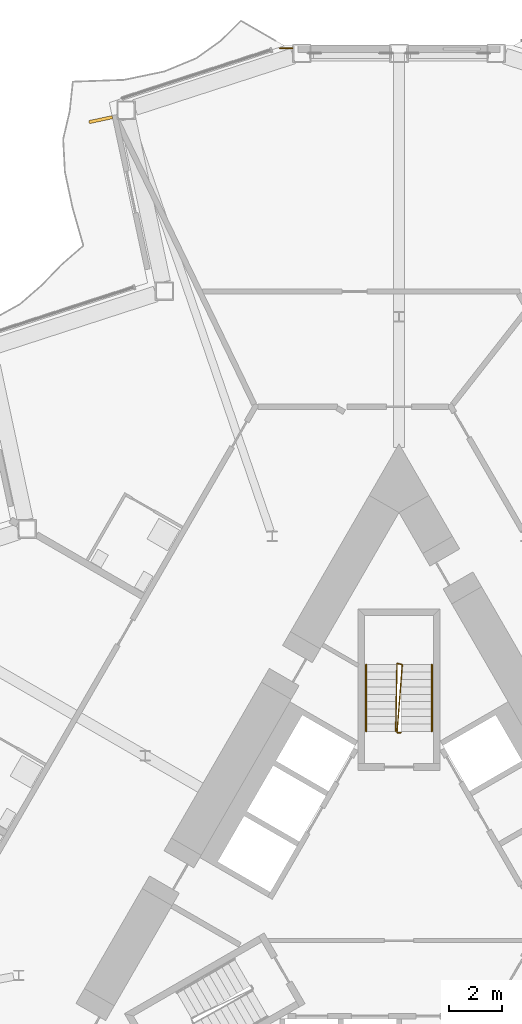
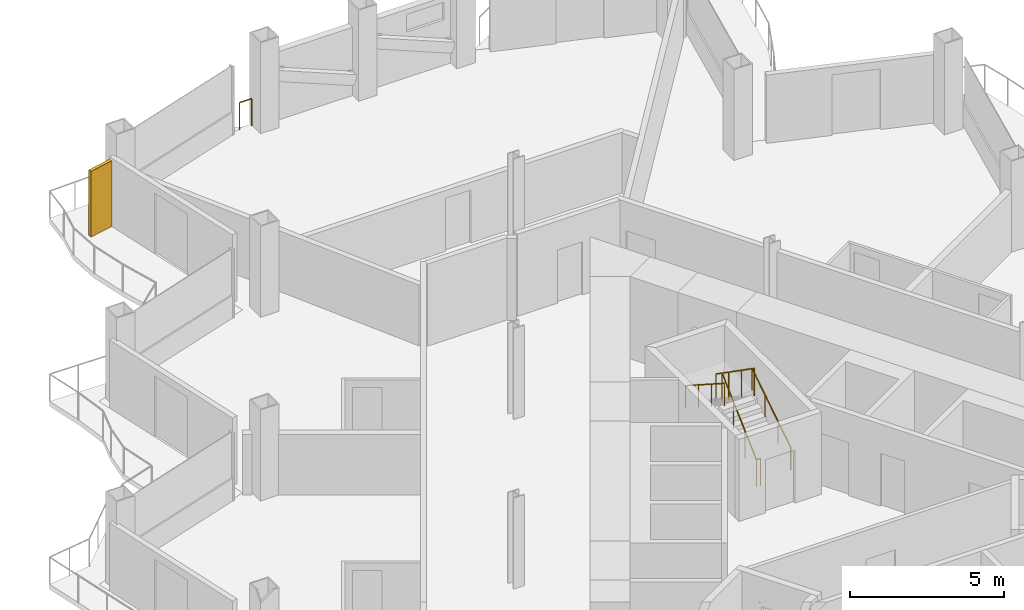
# One storey, part 21 of 24: 4 railings, 1 shading device.
"""IFC4 building model written with IfcOpenShell, lengths in metres."""

from ifc_helpers import new_model, si_unit, direction, frame, origin, origin_2d, place, context, subcontext, project, spatial, rectangle, circle, extrude, material, layer, layer_set, type_object, element, save


model = new_model("IFC4")

# Units and contexts
model_context = context("Model", 3, precision=1e-05, world=origin(), true_north=direction((0.0, 1.0)))
body_context = subcontext(model_context, "Body", "Model", "MODEL_VIEW")
ifc_project = project(units=[si_unit("LENGTHUNIT", "METRE"), si_unit("AREAUNIT", "SQUARE_METRE"), si_unit("VOLUMEUNIT", "CUBIC_METRE"), si_unit("PLANEANGLEUNIT", "RADIAN"), si_unit("MASSUNIT", "GRAM", prefix="KILO")], contexts=[model_context])

# Site, building, storey
site_placement = place(None, origin())
site = spatial("IfcSite", under=ifc_project, at=site_placement, CompositionType="ELEMENT")
building_placement = place(site_placement, origin())
building = spatial("IfcBuilding", under=site, at=building_placement, Name="Cormorant Prow Tower", CompositionType="ELEMENT")
storey_placement = place(building_placement, frame((0.0, 0.0, 231.0)))
storey = spatial("IfcBuildingStorey", under=building, at=storey_placement, Name="L50", CompositionType="ELEMENT", Elevation=231.0)

# Railings
ifc_material_1 = material(Name="Stainless steel", Category="steel")
railing_type_1 = type_object("IfcRailingType", Name="Facade corner guard 1100", PredefinedType="GUARDRAIL", material=ifc_material_1)
railing_1_placement = place(storey_placement, frame((-4.4951171875, 32.260009765625, 0.0)))
element("IfcRailing", 1, at=railing_1_placement, inside=storey, type_object=railing_type_1, Name="Facade corner guard L50 2", PredefinedType="GUARDRAIL", context=body_context, shape_type="SweptSolid", body=[
    extrude(circle(Radius=0.02392578125, at=origin_2d()), frame((0.0, 0.0, 1.076171875), z_axis=(1.0, 0.0, 0.0), x_axis=(0.0, 1.0, 0.0)), (0.0, 0.0, 1.0), 0.454833984375),
    extrude(circle(Radius=0.02099609375, at=origin_2d()), origin(), (0.0, 0.0, 1.0), 1.052001953125),
    extrude(circle(Radius=0.02099609375, at=origin_2d()), frame((0.454833984375, 0.0, 0.0)), (0.0, 0.0, 1.0), 1.052001953125),
])
ifc_material_2 = material(Name="Stainless steel", Category="steel")
railing_type_2 = type_object("IfcRailingType", Name="Stair guard 1100", PredefinedType="GUARDRAIL", material=ifc_material_2)
railing_2_placement = place(storey_placement, frame((0.074951171875, 6.40576171875, 0.0)))
element("IfcRailing", 2, at=railing_2_placement, inside=storey, type_object=railing_type_2, Name="L50 ST3 stair guard 1", PredefinedType="GUARDRAIL", context=body_context, shape_type="SweptSolid", body=[
    extrude(circle(Radius=0.02392578125, at=origin_2d()), frame((0.0, 0.0, 1.076171875), z_axis=(-1.0, 0.0, 0.0), x_axis=(0.0, -1.0, 0.0)), (0.0, 0.0, 1.0), 0.14990234375),
    extrude(circle(Radius=0.02392578125, at=origin_2d()), frame((-0.14990234375, 0.0, 1.076171875), z_axis=(0.063595540489, 0.817423998443, 0.572515164864), x_axis=(-0.996987254287, 0.077565551559, 0.0)), (0.0, 0.0, 1.0), 3.14404296875),
    extrude(circle(Radius=0.02392578125, at=origin_2d()), frame((0.050048828125, 2.570068359375, 2.8759765625), z_axis=(-0.970072785993, 0.242814311512, 0.0), x_axis=(-0.242814311512, -0.970072785993, 0.0)), (0.0, 0.0, 1.0), 0.2060546875),
    extrude(circle(Radius=0.02392578125, at=origin_2d()), frame((-0.14990234375, 2.6201171875, 2.8759765625), z_axis=(-0.01594855688, -0.818977845239, 0.573603462805), x_axis=(0.999810440751, -0.019470042781, 0.0)), (0.0, 0.0, 1.0), 3.13818359375),
    extrude(circle(Radius=0.02099609375, at=origin_2d()), origin(), (0.0, 0.0, 1.0), 1.052001953125),
    extrude(circle(Radius=0.02099609375, at=origin_2d()), frame((-0.14990234375, 0.0, 0.0)), (0.0, 0.0, 1.0), 1.052001953125),
    extrude(circle(Radius=0.02099609375, at=origin_2d()), frame((-0.083251953125, 0.856689453125, 0.60009765625)), (0.0, 0.0, 1.0), 1.052001953125),
    extrude(circle(Radius=0.02099609375, at=origin_2d()), frame((-0.0166015625, 1.71337890625, 1.199951171875)), (0.0, 0.0, 1.0), 1.052001953125),
    extrude(circle(Radius=0.02099609375, at=origin_2d()), frame((0.050048828125, 2.570068359375, 1.800048828125)), (0.0, 0.0, 1.0), 1.052001953125),
    extrude(circle(Radius=0.02099609375, at=origin_2d()), frame((-0.14990234375, 2.6201171875, 1.800048828125)), (0.0, 0.0, 1.0), 1.052001953125),
    extrude(circle(Radius=0.02099609375, at=origin_2d()), frame((-0.16650390625, 1.763427734375, 2.400146484375)), (0.0, 0.0, 1.0), 1.052001953125),
    extrude(circle(Radius=0.02099609375, at=origin_2d()), frame((-0.183349609375, 0.90673828125, 3.0)), (0.0, 0.0, 1.0), 1.052001953125),
    extrude(circle(Radius=0.02099609375, at=origin_2d()), frame((-0.199951171875, 0.050048828125, 3.60009765625)), (0.0, 0.0, 1.0), 1.052001953125),
])
ifc_material_3 = material(Name="Stainless steel", Category="steel")
railing_type_3 = type_object("IfcRailingType", Name="Stair handrail 900", PredefinedType="HANDRAIL", material=ifc_material_3)
railing_3_placement = place(storey_placement, frame((1.243896484375, 6.455810546875, 0.179931640625)))
element("IfcRailing", 3, at=railing_3_placement, inside=storey, type_object=railing_type_3, Name="L50 ST3 stair handrail 1", PredefinedType="HANDRAIL", context=body_context, shape_type="SweptSolid", body=[
    extrude(circle(Radius=0.02392578125, at=origin_2d()), frame((0.0, 0.0, 0.8759765625), z_axis=(0.0, 0.841162588446, 0.540782303519), x_axis=(-1.0, 0.0, 0.0)), (0.0, 0.0, 1.0), 2.995849609375),
    extrude(circle(Radius=0.02099609375, at=origin_2d()), origin(), (0.0, 0.0, 1.0), 0.851806640625),
    extrude(circle(Radius=0.02099609375, at=origin_2d()), frame((0.0, 0.840087890625, 0.5400390625)), (0.0, 0.0, 1.0), 0.851806640625),
    extrude(circle(Radius=0.02099609375, at=origin_2d()), frame((0.0, 1.679931640625, 1.080078125)), (0.0, 0.0, 1.0), 0.851806640625),
    extrude(circle(Radius=0.02099609375, at=origin_2d()), frame((0.0, 2.52001953125, 1.6201171875)), (0.0, 0.0, 1.0), 0.851806640625),
])
railing_4_placement = place(storey_placement, frame((-1.243896484375, 8.975830078125, 1.97998046875)))
element("IfcRailing", 4, at=railing_4_placement, inside=storey, type_object=railing_type_3, Name="L50 ST3 stair handrail 2", PredefinedType="HANDRAIL", context=body_context, shape_type="SweptSolid", body=[
    extrude(circle(Radius=0.02392578125, at=origin_2d()), frame((0.0, 0.0, 0.8759765625), z_axis=(0.0, -0.841162588446, 0.540782303519), x_axis=(1.0, 0.0, 0.0)), (0.0, 0.0, 1.0), 2.995849609375),
    extrude(circle(Radius=0.02099609375, at=origin_2d()), origin(), (0.0, 0.0, 1.0), 0.851806640625),
    extrude(circle(Radius=0.02099609375, at=origin_2d()), frame((0.0, -0.840087890625, 0.5400390625)), (0.0, 0.0, 1.0), 0.851806640625),
    extrude(circle(Radius=0.02099609375, at=origin_2d()), frame((0.0, -1.679931640625, 1.080078125)), (0.0, 0.0, 1.0), 0.851806640625),
    extrude(circle(Radius=0.02099609375, at=origin_2d()), frame((0.0, -2.52001953125, 1.6201171875)), (0.0, 0.0, 1.0), 0.851806640625),
])

# Shading device
ifc_material_4 = material(Name="Terracotta", Category="masonry")
ifc_layer = layer(ifc_material_4, 0.1201171875)
ifc_layer_set = layer_set([ifc_layer], Name="Terracotta")
shading_device_type = type_object("IfcShadingDeviceType", Name="Terracotta baguette fin 120x900x2600", PredefinedType="USERDEFINED", material=ifc_layer_set)
shading_device_placement = place(storey_placement, frame((-11.266357421875, 29.5634765625, 0.0), z_axis=(0.0, 0.0, 1.0), x_axis=(0.207911646089, -0.978147610241, 0.0)))
element("IfcShadingDevice", 5, at=shading_device_placement, inside=storey, type_object=shading_device_type, Name="Baguette fin WNW01", ObjectType="BAGUETTE", PredefinedType="USERDEFINED", context=body_context, shape_type="SweptSolid", body=[
    extrude(rectangle(XDim=0.1201171875, YDim=0.89990234375, at=origin_2d()), origin(), (0.0, 0.0, 1.0), 2.60009765625),
])

save(model, "model.ifc")
